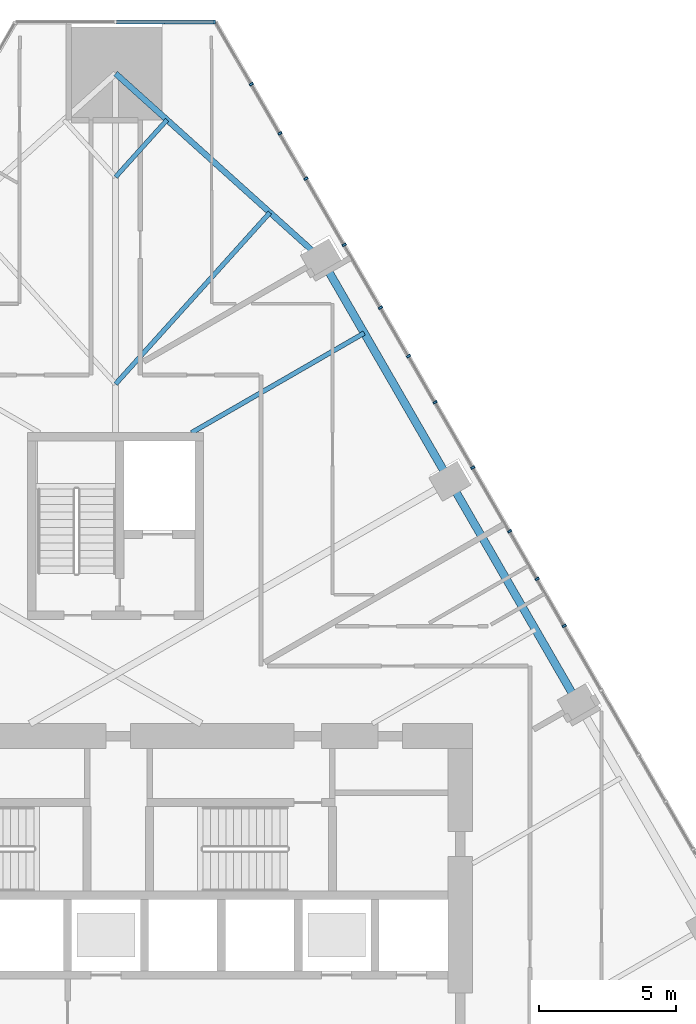
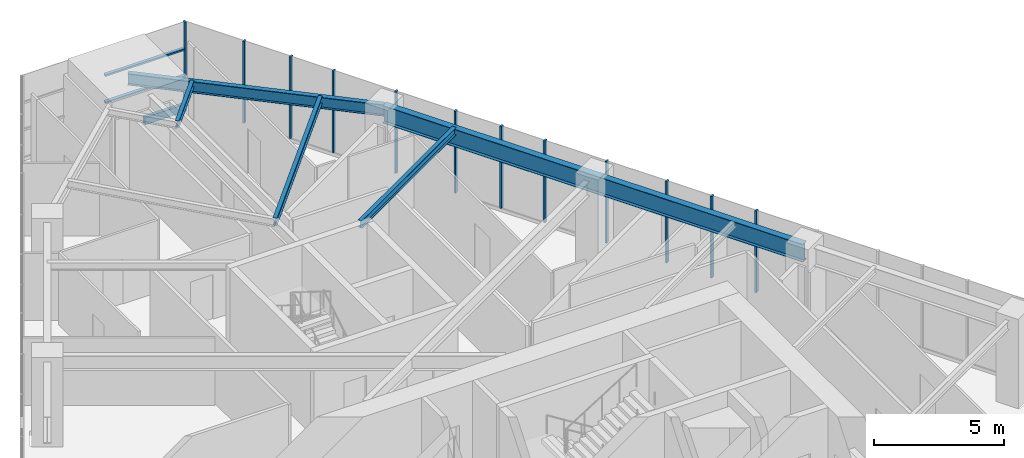
# One storey, part 10 of 19: 15 members, 5 beams, 2 elements without a shape of their own.
"""IFC4 building model written with IfcOpenShell, lengths in metres."""

from ifc_helpers import new_model, si_unit, direction, frame, origin, origin_2d, place, context, subcontext, project, spatial, rectangle, i_section, extrude, material, layer, layer_set, material_profile, profile_set, type_object, element, aggregate, save


model = new_model("IFC4")

# Units and contexts
model_context = context("Model", 3, precision=1e-05, world=origin(), true_north=direction((0.0, 1.0)))
body_context = subcontext(model_context, "Body", "Model", "MODEL_VIEW")
ifc_project = project(units=[si_unit("LENGTHUNIT", "METRE"), si_unit("AREAUNIT", "SQUARE_METRE"), si_unit("VOLUMEUNIT", "CUBIC_METRE"), si_unit("PLANEANGLEUNIT", "RADIAN"), si_unit("MASSUNIT", "GRAM", prefix="KILO")], contexts=[model_context])

# Site, building, storey
site_placement = place(None, origin())
site = spatial("IfcSite", under=ifc_project, at=site_placement, CompositionType="ELEMENT")
building_placement = place(site_placement, origin())
building = spatial("IfcBuilding", under=site, at=building_placement, Name="Firuza Gate Tower and Library", CompositionType="ELEMENT")
storey_placement = place(building_placement, frame((0.0, 0.0, 103.0)))
storey = spatial("IfcBuildingStorey", under=building, at=storey_placement, Name="L23", CompositionType="ELEMENT", Elevation=103.0)

# Curtain wall, members
ifc_material_1 = material(Name="Aluminium 6063-T6", Category="aluminium")
ifc_layer_1 = layer(ifc_material_1, 0.14990234375)
ifc_layer_set_1 = layer_set([ifc_layer_1], Name="Unitised curtain wall, offices")
curtain_wall_type_1 = type_object("IfcCurtainWallType", Name="Unitised curtain wall, offices", PredefinedType="NOTDEFINED", material=ifc_layer_set_1)
placement = place(storey_placement, origin())
curtain_wall_1 = element("IfcCurtainWall", 1, at=placement, inside=storey, type_object=curtain_wall_type_1, Name="CW1 L23 E face", PredefinedType="NOTDEFINED")
ifc_material_2 = material(Name="Aluminium 6063-T6", Category="aluminium")
ifc_material_profile_1 = material_profile(ifc_material_2, rectangle(XDim=0.14990234375, YDim=0.080078125, at=origin_2d()))
ifc_profile_set_1 = profile_set([ifc_material_profile_1], Name="Aluminium 6063-T6")
member_type_1 = type_object("IfcMemberType", Name="Curtain wall mullion 80x150", PredefinedType="MULLION", material=ifc_profile_set_1)
member_1_placement = place(storey_placement, frame((90.35400390625, 89.273681640625, 0.14990234375), z_axis=(0.0, 0.0, 1.0), x_axis=(-0.866025403784, -0.5, 0.0)))
member_1 = element("IfcMember", 2, at=member_1_placement, type_object=member_type_1, Name="Mullion", PredefinedType="MULLION", context=body_context, shape_type="SweptSolid", body=[
    extrude(rectangle(XDim=0.14990234375, YDim=0.080078125, at=origin_2d()), origin(), (0.0, 0.0, 1.0), 3.85009765625),
])
member_2_placement = place(storey_placement, frame((88.011962890625, 93.330322265625, 0.14990234375), z_axis=(0.0, 0.0, 1.0), x_axis=(-0.866025403784, -0.5, 0.0)))
member_2 = element("IfcMember", 3, at=member_2_placement, type_object=member_type_1, Name="Mullion", PredefinedType="MULLION", context=body_context, shape_type="SweptSolid", body=[
    extrude(rectangle(XDim=0.14990234375, YDim=0.080078125, at=origin_2d()), origin(), (0.0, 0.0, 1.0), 3.85009765625),
])
member_3_placement = place(storey_placement, frame((85.669677734375, 97.38720703125, 0.14990234375), z_axis=(0.0, 0.0, 1.0), x_axis=(-0.866025403784, -0.5, 0.0)))
member_3 = element("IfcMember", 4, at=member_3_placement, type_object=member_type_1, Name="Mullion", PredefinedType="MULLION", context=body_context, shape_type="SweptSolid", body=[
    extrude(rectangle(XDim=0.14990234375, YDim=0.080078125, at=origin_2d()), origin(), (0.0, 0.0, 1.0), 3.85009765625),
])
member_4_placement = place(storey_placement, frame((83.32763671875, 101.44384765625, 0.14990234375), z_axis=(0.0, 0.0, 1.0), x_axis=(-0.866025403784, -0.5, 0.0)))
member_4 = element("IfcMember", 5, at=member_4_placement, type_object=member_type_1, Name="Mullion", PredefinedType="MULLION", context=body_context, shape_type="SweptSolid", body=[
    extrude(rectangle(XDim=0.14990234375, YDim=0.080078125, at=origin_2d()), origin(), (0.0, 0.0, 1.0), 3.85009765625),
])
member_5_placement = place(storey_placement, frame((80.9853515625, 105.500732421875, 0.14990234375), z_axis=(0.0, 0.0, 1.0), x_axis=(-0.866025403784, -0.5, 0.0)))
member_5 = element("IfcMember", 6, at=member_5_placement, type_object=member_type_1, Name="Mullion", PredefinedType="MULLION", context=body_context, shape_type="SweptSolid", body=[
    extrude(rectangle(XDim=0.14990234375, YDim=0.080078125, at=origin_2d()), origin(), (0.0, 0.0, 1.0), 3.85009765625),
])
member_6_placement = place(storey_placement, frame((91.33984375, 87.56640625, 0.14990234375), z_axis=(0.0, 0.0, 1.0), x_axis=(-0.866025403784, -0.5, 0.0)))
member_6 = element("IfcMember", 7, at=member_6_placement, type_object=member_type_1, Name="Mullion", PredefinedType="MULLION", context=body_context, shape_type="SweptSolid", body=[
    extrude(rectangle(XDim=0.14990234375, YDim=0.080078125, at=origin_2d()), origin(), (0.0, 0.0, 1.0), 3.85009765625),
])
member_7_placement = place(storey_placement, frame((89.35107421875, 91.010986328125, 0.14990234375), z_axis=(0.0, 0.0, 1.0), x_axis=(-0.866025403784, -0.5, 0.0)))
member_7 = element("IfcMember", 8, at=member_7_placement, type_object=member_type_1, Name="Mullion", PredefinedType="MULLION", context=body_context, shape_type="SweptSolid", body=[
    extrude(rectangle(XDim=0.14990234375, YDim=0.080078125, at=origin_2d()), origin(), (0.0, 0.0, 1.0), 3.85009765625),
])
member_8_placement = place(storey_placement, frame((86.63818359375, 95.7099609375, 0.14990234375), z_axis=(0.0, 0.0, 1.0), x_axis=(-0.866025403784, -0.5, 0.0)))
member_8 = element("IfcMember", 9, at=member_8_placement, type_object=member_type_1, Name="Mullion", PredefinedType="MULLION", context=body_context, shape_type="SweptSolid", body=[
    extrude(rectangle(XDim=0.14990234375, YDim=0.080078125, at=origin_2d()), origin(), (0.0, 0.0, 1.0), 3.85009765625),
])
member_9_placement = place(storey_placement, frame((84.6494140625, 99.154541015625, 0.14990234375), z_axis=(0.0, 0.0, 1.0), x_axis=(-0.866025403784, -0.5, 0.0)))
member_9 = element("IfcMember", 10, at=member_9_placement, type_object=member_type_1, Name="Mullion", PredefinedType="MULLION", context=body_context, shape_type="SweptSolid", body=[
    extrude(rectangle(XDim=0.14990234375, YDim=0.080078125, at=origin_2d()), origin(), (0.0, 0.0, 1.0), 3.85009765625),
])
member_10_placement = place(storey_placement, frame((81.9365234375, 103.853515625, 0.14990234375), z_axis=(0.0, 0.0, 1.0), x_axis=(-0.866025403784, -0.5, 0.0)))
member_10 = element("IfcMember", 11, at=member_10_placement, type_object=member_type_1, Name="Mullion", PredefinedType="MULLION", context=body_context, shape_type="SweptSolid", body=[
    extrude(rectangle(XDim=0.14990234375, YDim=0.080078125, at=origin_2d()), origin(), (0.0, 0.0, 1.0), 3.85009765625),
])
member_11_placement = place(storey_placement, frame((79.94775390625, 107.298095703125, 0.14990234375), z_axis=(0.0, 0.0, 1.0), x_axis=(-0.866025403784, -0.5, 0.0)))
member_11 = element("IfcMember", 12, at=member_11_placement, type_object=member_type_1, Name="Mullion", PredefinedType="MULLION", context=body_context, shape_type="SweptSolid", body=[
    extrude(rectangle(XDim=0.14990234375, YDim=0.080078125, at=origin_2d()), origin(), (0.0, 0.0, 1.0), 3.85009765625),
])
aggregate(curtain_wall_1, [member_1, member_2, member_3, member_4, member_5, member_6, member_7, member_8, member_9, member_10, member_11])

ifc_material_3 = material(Name="Aluminium 6063-T6", Category="aluminium")
ifc_layer_2 = layer(ifc_material_3, 0.14990234375)
ifc_layer_set_2 = layer_set([ifc_layer_2], Name="Corner curtain wall, chamfers")
curtain_wall_type_2 = type_object("IfcCurtainWallType", Name="Corner curtain wall, chamfers", PredefinedType="NOTDEFINED", material=ifc_layer_set_2)
curtain_wall_2 = element("IfcCurtainWall", 13, at=placement, inside=storey, type_object=curtain_wall_type_2, Name="CW4 L23 N corner", PredefinedType="NOTDEFINED")
member_12_placement = place(storey_placement, frame((78.603271484375, 109.557373046875, 0.14990234375), z_axis=(0.0, 0.0, 1.0), x_axis=(0.0, -1.0, 0.0)))
member_12 = element("IfcMember", 14, at=member_12_placement, type_object=member_type_1, Name="Mullion", PredefinedType="MULLION", context=body_context, shape_type="SweptSolid", body=[
    extrude(rectangle(XDim=0.14990234375, YDim=0.080078125, at=origin_2d()), origin(), (0.0, 0.0, 1.0), 3.85009765625),
])
ifc_material_4 = material(Name="Aluminium 6063-T6", Category="aluminium")
ifc_material_profile_2 = material_profile(ifc_material_4, rectangle(XDim=0.14990234375, YDim=0.35009765625, at=origin_2d()))
ifc_profile_set_2 = profile_set([ifc_material_profile_2], Name="Aluminium 6063-T6")
member_type_2 = type_object("IfcMemberType", Name="Curtain wall transom 350x150", PredefinedType="USERDEFINED", material=ifc_profile_set_2)
member_13_placement = place(storey_placement, frame((78.643310546875, 109.557373046875, -0.02490234375), z_axis=(-1.0, 0.0, 0.0), x_axis=(0.0, -1.0, 0.0)))
member_13 = element("IfcMember", 15, at=member_13_placement, type_object=member_type_2, Name="Transom", ObjectType="TRANSOM", PredefinedType="USERDEFINED", context=body_context, shape_type="SweptSolid", body=[
    extrude(rectangle(XDim=0.14990234375, YDim=0.35009765625, at=origin_2d()), origin(), (0.0, 0.0, 1.0), 1.863525390625),
])
ifc_material_5 = material(Name="Aluminium 6063-T6", Category="aluminium")
ifc_material_profile_3 = material_profile(ifc_material_5, rectangle(XDim=0.14990234375, YDim=0.080078125, at=origin_2d()))
ifc_profile_set_3 = profile_set([ifc_material_profile_3], Name="Aluminium 6063-T6")
member_type_3 = type_object("IfcMemberType", Name="Curtain wall transom 80x150", PredefinedType="USERDEFINED", material=ifc_profile_set_3)
member_14_placement = place(storey_placement, frame((78.603271484375, 109.557373046875, 1.449951171875), z_axis=(-1.0, 0.0, 0.0), x_axis=(0.0, -1.0, 0.0)))
member_14 = element("IfcMember", 16, at=member_14_placement, type_object=member_type_3, Name="Transom", ObjectType="TRANSOM", PredefinedType="USERDEFINED", context=body_context, shape_type="SweptSolid", body=[
    extrude(rectangle(XDim=0.14990234375, YDim=0.080078125, at=origin_2d()), origin(), (0.0, 0.0, 1.0), 3.563232421875),
])
member_15_placement = place(storey_placement, frame((78.603271484375, 109.557373046875, 2.72509765625), z_axis=(-1.0, 0.0, 0.0), x_axis=(0.0, -1.0, 0.0)))
member_15 = element("IfcMember", 17, at=member_15_placement, type_object=member_type_3, Name="Transom", ObjectType="TRANSOM", PredefinedType="USERDEFINED", context=body_context, shape_type="SweptSolid", body=[
    extrude(rectangle(XDim=0.14990234375, YDim=0.080078125, at=origin_2d()), origin(), (0.0, 0.0, 1.0), 3.563232421875),
])
aggregate(curtain_wall_2, [member_12, member_13, member_14, member_15])

# Beams
ifc_material_6 = material(Name="Steel S355", Category="steel")
ifc_material_profile_4 = material_profile(ifc_material_6, i_section(OverallWidth=0.1650390625, OverallDepth=0.31005859375, WebThickness=0.005859375, FlangeThickness=0.009765625, at=origin_2d()))
ifc_profile_set_4 = profile_set([ifc_material_profile_4], Name="Steel S355")
beam_type_1 = type_object("IfcBeamType", Name="W310x39 Floor beam", PredefinedType="JOIST", material=ifc_profile_set_4)
beam_1_placement = place(storey_placement, frame((76.87451171875, 105.99462890625, 3.844970703125), z_axis=(-0.669142865717, -0.743133786919, 0.0), x_axis=(0.743133786919, -0.669142865717, 0.0)))
element("IfcBeam", 18, at=beam_1_placement, inside=storey, type_object=beam_type_1, Name="Floor beam L23 s61", PredefinedType="JOIST", context=body_context, shape_type="SweptSolid", body=[
    extrude(i_section(OverallWidth=0.1650390625, OverallDepth=0.31005859375, WebThickness=0.005859375, FlangeThickness=0.009765625, at=origin_2d()), origin(), (0.0, 0.0, 1.0), 2.80126953125),
])
ifc_material_7 = material(Name="Steel S355", Category="steel")
ifc_material_profile_5 = material_profile(ifc_material_7, i_section(OverallWidth=0.1708984375, OverallDepth=0.35498046875, WebThickness=0.007080078125, FlangeThickness=0.01171875, at=origin_2d()))
ifc_profile_set_5 = profile_set([ifc_material_profile_5], Name="Steel S355")
beam_type_2 = type_object("IfcBeamType", Name="W360x51 Floor beam", PredefinedType="JOIST", material=ifc_profile_set_5)
beam_2_placement = place(storey_placement, frame((84.056640625, 98.231201171875, 3.822509765625), z_axis=(-0.866018750047, -0.500011524435, 0.0), x_axis=(0.500011524435, -0.866018750047, 0.0)))
element("IfcBeam", 19, at=beam_2_placement, inside=storey, type_object=beam_type_2, Name="Floor beam L23 s55", PredefinedType="JOIST", context=body_context, shape_type="SweptSolid", body=[
    extrude(i_section(OverallWidth=0.1708984375, OverallDepth=0.35498046875, WebThickness=0.007080078125, FlangeThickness=0.01171875, at=origin_2d()), origin(), (0.0, 0.0, 1.0), 7.261962890625),
])
beam_3_placement = place(storey_placement, frame((80.623291015625, 102.619140625, 3.822509765625), z_axis=(-0.669141268318, -0.743135225267, 0.0), x_axis=(0.743135225267, -0.669141268318, 0.0)))
element("IfcBeam", 20, at=beam_3_placement, inside=storey, type_object=beam_type_2, Name="Floor beam L23 s60", PredefinedType="JOIST", context=body_context, shape_type="SweptSolid", body=[
    extrude(i_section(OverallWidth=0.1708984375, OverallDepth=0.35498046875, WebThickness=0.007080078125, FlangeThickness=0.01171875, at=origin_2d()), origin(), (0.0, 0.0, 1.0), 8.40380859375),
])
ifc_material_8 = material(Name="Steel S355", Category="steel")
ifc_material_profile_6 = material_profile(ifc_material_8, i_section(OverallWidth=0.212890625, OverallDepth=0.5390625, WebThickness=0.01171875, FlangeThickness=0.018798828125, at=origin_2d()))
ifc_profile_set_6 = profile_set([ifc_material_profile_6], Name="Steel S355")
beam_type_3 = type_object("IfcBeamType", Name="W530x109 Edge beam", PredefinedType="SPANDREL", material=ifc_profile_set_6)
beam_4_placement = place(storey_placement, frame((82.497802734375, 100.931396484375, 3.73046875), z_axis=(-0.743148538836, 0.669126482234, 0.0), x_axis=(-0.669126482234, -0.743148538836, 0.0)))
element("IfcBeam", 21, at=beam_4_placement, inside=storey, type_object=beam_type_3, Name="Edge beam L23 e60", PredefinedType="SPANDREL", context=body_context, shape_type="SweptSolid", body=[
    extrude(i_section(OverallWidth=0.212890625, OverallDepth=0.5390625, WebThickness=0.01171875, FlangeThickness=0.018798828125, at=origin_2d()), origin(), (0.0, 0.0, 1.0), 10.08935546875),
])
ifc_material_9 = material(Name="Steel S355", Category="steel")
ifc_material_profile_7 = material_profile(ifc_material_9, i_section(OverallWidth=0.2919921875, OverallDepth=0.8349609375, WebThickness=0.013916015625, FlangeThickness=0.018798828125, at=origin_2d()))
ifc_profile_set_7 = profile_set([ifc_material_profile_7], Name="Steel S355")
beam_type_4 = type_object("IfcBeamType", Name="W840x176 Edge beam", PredefinedType="SPANDREL", material=ifc_profile_set_7)
beam_5_placement = place(storey_placement, frame((91.851806640625, 84.7294921875, 3.58251953125), z_axis=(-0.499993188785, 0.866029336205, 0.0), x_axis=(-0.866029336205, -0.499993188785, 0.0)))
element("IfcBeam", 22, at=beam_5_placement, inside=storey, type_object=beam_type_4, Name="Edge beam L23 e52", PredefinedType="SPANDREL", context=body_context, shape_type="SweptSolid", body=[
    extrude(i_section(OverallWidth=0.2919921875, OverallDepth=0.8349609375, WebThickness=0.013916015625, FlangeThickness=0.018798828125, at=origin_2d()), origin(), (0.0, 0.0, 1.0), 18.708251953125),
])

save(model, "model.ifc")
